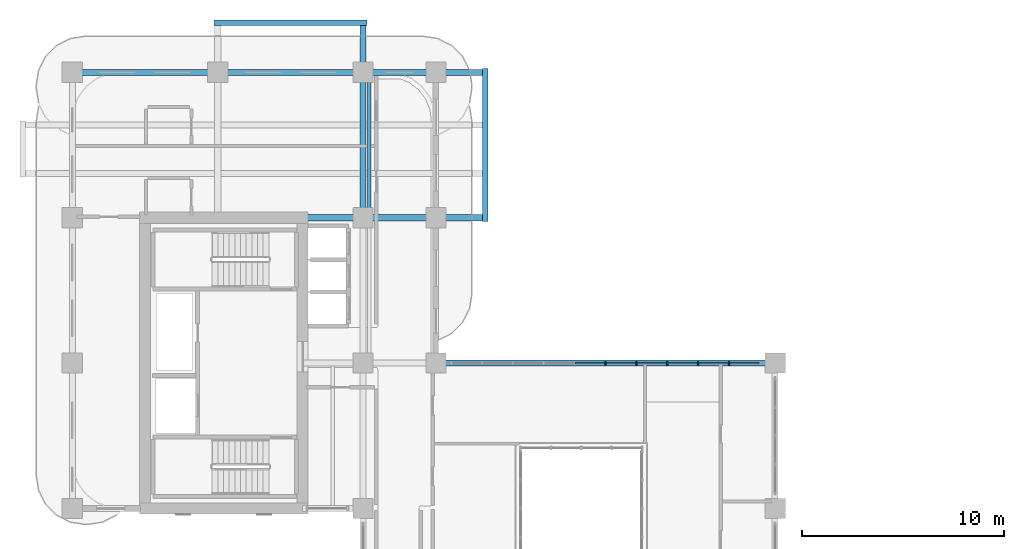
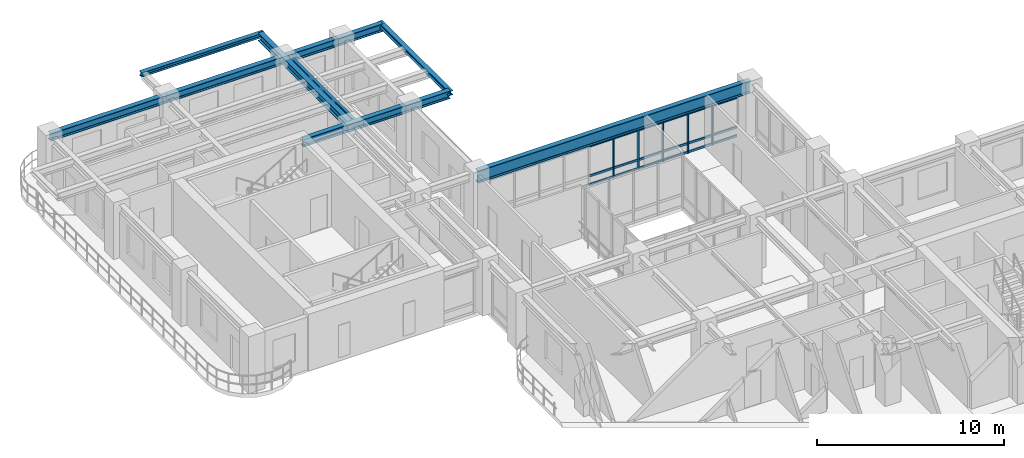
# One storey, part 6 of 20: 23 members, 8 beams, 1 element without a shape of its own.
"""IFC4 building model written with IfcOpenShell, lengths in metres."""

from ifc_helpers import new_model, si_unit, derived_unit, direction, frame, origin, origin_2d, place, context, subcontext, project, spatial, rectangle, i_section, extrude, source, transform, mapped, material, layer, layer_set, material_profile, profile_set, type_object, type_shapes, element, aggregate, save


model = new_model("IFC4")

# Units and contexts
model_context = context("Model", 3, precision=1e-05, world=origin(), true_north=direction((0.0, 1.0)))
body_context = subcontext(model_context, "Body", "Model", "MODEL_VIEW")
ifc_project = project(units=[si_unit("LENGTHUNIT", "METRE"), si_unit("AREAUNIT", "SQUARE_METRE"), si_unit("VOLUMEUNIT", "CUBIC_METRE"), si_unit("PLANEANGLEUNIT", "RADIAN"), si_unit("MASSUNIT", "GRAM", prefix="KILO"), si_unit("THERMODYNAMICTEMPERATUREUNIT", "KELVIN"), si_unit("POWERUNIT", "WATT"), derived_unit("THERMALTRANSMITTANCEUNIT", [(si_unit("POWERUNIT", "WATT"), 1), (si_unit("AREAUNIT", "SQUARE_METRE"), -1), (si_unit("THERMODYNAMICTEMPERATUREUNIT", "KELVIN"), -1)])], contexts=[model_context])

# Site, building, storey
site_placement = place(None, origin())
site = spatial("IfcSite", under=ifc_project, at=site_placement, CompositionType="ELEMENT")
building_placement = place(site_placement, origin())
building = spatial("IfcBuilding", under=site, at=building_placement, Name="Zahravan Archway Hotel and Residences", CompositionType="ELEMENT")
storey_placement = place(building_placement, frame((0.0, 0.0, 126.60009765625)))
storey = spatial("IfcBuildingStorey", under=building, at=storey_placement, Name="L31", CompositionType="ELEMENT", Elevation=126.60009765625)

# Beams
ifc_material_1 = material(Name="Structural Steel S355JR", Category="steel")
ifc_material_profile_1 = material_profile(ifc_material_1, i_section(OverallWidth=0.280029296875, OverallDepth=0.280029296875, WebThickness=0.010498046875, FlangeThickness=0.01806640625, FilletRadius=0.02392578125, at=origin_2d()), Name="HEB 280", Category="steel")
ifc_profile_set_1 = profile_set([ifc_material_profile_1], Name="Structural Steel S355JR")
beam_type_1 = type_object("IfcBeamType", Name="BM-SPN-HEB280", PredefinedType="SPANDREL", material=ifc_profile_set_1)
shared_shape_1 = source(origin(), body_context, "Body", "SweptSolid", [
    extrude(i_section(OverallWidth=0.280029296875, OverallDepth=0.280029296875, WebThickness=0.010498046875, FlangeThickness=0.01806640625, FilletRadius=0.02392578125, at=origin_2d()), origin(), (0.0, 0.0, 1.0), 7.56005859375),
])
type_shapes(beam_type_1, [shared_shape_1])
for number, where, z_axis, x_axis, name in (
    (1, (20.449951171875, 39.419921875, 3.309814453125), (0.0, 1.0, 0.0), (-1.0, 0.0, 0.0), "L32 EB Balcony Edge Spandrel"),
    (2, (7.02001953125, 49.25, 3.309814453125), (1.0, 0.0, 0.0), (0.0, 1.0, 0.0), "L32 NB Balcony Edge Spandrel"),
):
    element("IfcBeam", number, at=place(storey_placement, frame(where, z_axis=z_axis, x_axis=x_axis)), inside=storey, type_object=beam_type_1, Name=name, PredefinedType="SPANDREL", context=body_context, shape_type="MappedRepresentation", body=[
        mapped(shared_shape_1, transform((0.0, 0.0, 0.0), scale=1.0)),
    ])
ifc_material_2 = material(Name="Structural Steel S355J2", Category="steel")
ifc_material_profile_2 = material_profile(ifc_material_2, i_section(OverallWidth=0.300048828125, OverallDepth=0.800048828125, WebThickness=0.017578125, FlangeThickness=0.032958984375, FilletRadius=0.030029296875, at=origin_2d()), Name="HEB 800", Category="steel")
ifc_profile_set_2 = profile_set([ifc_material_profile_2], Name="Structural Steel S355J2")
beam_type_2 = type_object("IfcBeamType", Name="BM-PRI-HEB800", PredefinedType="BEAM", material=ifc_profile_set_2)
shared_shape_2 = source(origin(), body_context, "Body", "SweptSolid", [
    extrude(i_section(OverallWidth=0.300048828125, OverallDepth=0.800048828125, WebThickness=0.017578125, FlangeThickness=0.032958984375, FilletRadius=0.030029296875, at=origin_2d()), origin(), (0.0, 0.0, 1.0), 16.800048828125),
])
type_shapes(beam_type_2, [shared_shape_2])
beam_1_placement = place(storey_placement, frame((18.0, 32.39990234375, 3.0498046875), z_axis=(1.0, 0.0, 0.0), x_axis=(0.0, 1.0, 0.0)))
element("IfcBeam", 3, at=beam_1_placement, inside=storey, type_object=beam_type_2, Name="L31 Primary Girder EW-18", PredefinedType="BEAM", context=body_context, shape_type="MappedRepresentation", body=[
    mapped(shared_shape_2, transform((0.0, 0.0, 0.0), scale=1.0)),
])
ifc_material_profile_3 = material_profile(ifc_material_1, i_section(OverallWidth=0.300048828125, OverallDepth=0.5, WebThickness=0.014404296875, FlangeThickness=0.028076171875, FilletRadius=0.027099609375, at=origin_2d()), Name="HEB 500", Category="steel")
ifc_profile_set_3 = profile_set([ifc_material_profile_3], Name="Structural Steel S355JR")
beam_type_3 = type_object("IfcBeamType", Name="BM-PRI-HEB500", PredefinedType="BEAM", material=ifc_profile_set_3)
shared_shape_3 = source(origin(), body_context, "Body", "SweptSolid", [
    extrude(i_section(OverallWidth=0.300048828125, OverallDepth=0.5, WebThickness=0.014404296875, FlangeThickness=0.028076171875, FilletRadius=0.027099609375, at=origin_2d()), origin(), (0.0, 0.0, 1.0), 7.199951171875),
])
beam_2_placement = place(storey_placement, frame((0.0, 46.800048828125, 3.199951171875), z_axis=(1.0, 0.0, 0.0), x_axis=(0.0, 1.0, 0.0)))
element("IfcBeam", 4, at=beam_2_placement, inside=storey, type_object=beam_type_3, Name="L31 Primary Girder EW-20", PredefinedType="BEAM", context=body_context, shape_type="MappedRepresentation", body=[
    mapped(shared_shape_3, transform((0.0, 0.0, 0.0), scale=1.0)),
])
shared_shape_4 = source(origin(), body_context, "Body", "SweptSolid", [
    extrude(i_section(OverallWidth=0.300048828125, OverallDepth=0.5, WebThickness=0.014404296875, FlangeThickness=0.028076171875, FilletRadius=0.027099609375, at=origin_2d()), origin(), (0.0, 0.0, 1.0), 9.050048828125),
])
beam_3_placement = place(storey_placement, frame((11.39990234375, 39.60009765625, 3.199951171875), z_axis=(1.0, 0.0, 0.0), x_axis=(0.0, 1.0, 0.0)))
element("IfcBeam", 5, at=beam_3_placement, inside=storey, type_object=beam_type_3, Name="L31 Primary Girder EW-19", PredefinedType="BEAM", context=body_context, shape_type="MappedRepresentation", body=[
    mapped(shared_shape_4, transform((0.0, 0.0, 0.0), scale=1.0)),
])
shared_shape_5 = source(origin(), body_context, "Body", "SweptSolid", [
    extrude(i_section(OverallWidth=0.300048828125, OverallDepth=0.5, WebThickness=0.014404296875, FlangeThickness=0.028076171875, FilletRadius=0.027099609375, at=origin_2d()), origin(), (0.0, 0.0, 1.0), 13.25),
])
beam_4_placement = place(storey_placement, frame((7.199951171875, 46.800048828125, 3.199951171875), z_axis=(1.0, 0.0, 0.0), x_axis=(0.0, 1.0, 0.0)))
element("IfcBeam", 6, at=beam_4_placement, inside=storey, type_object=beam_type_3, Name="L31 Primary Girder EW-21", PredefinedType="BEAM", context=body_context, shape_type="MappedRepresentation", body=[
    mapped(shared_shape_5, transform((0.0, 0.0, 0.0), scale=1.0)),
])
shared_shape_6 = source(origin(), body_context, "Body", "SweptSolid", [
    extrude(i_section(OverallWidth=0.300048828125, OverallDepth=0.5, WebThickness=0.014404296875, FlangeThickness=0.028076171875, FilletRadius=0.027099609375, at=origin_2d()), origin(), (0.0, 0.0, 1.0), 9.64990234375),
])
beam_5_placement = place(storey_placement, frame((14.39990234375, 39.60009765625, 3.199951171875), z_axis=(0.0, 1.0, 0.0), x_axis=(-1.0, 0.0, 0.0)))
element("IfcBeam", 7, at=beam_5_placement, inside=storey, type_object=beam_type_3, Name="L31 Primary Girder NS-34", PredefinedType="BEAM", context=body_context, shape_type="MappedRepresentation", body=[
    mapped(shared_shape_6, transform((0.0, 0.0, 0.0), scale=1.0)),
])
ifc_material_profile_4 = material_profile(ifc_material_1, i_section(OverallWidth=0.159912109375, OverallDepth=0.330078125, WebThickness=0.007568359375, FlangeThickness=0.011474609375, FilletRadius=0.01806640625, at=origin_2d()), Name="IPE 330", Category="steel")
ifc_profile_set_4 = profile_set([ifc_material_profile_4], Name="Structural Steel S355JR")
beam_type_4 = type_object("IfcBeamType", Name="BM-JST-IPE330", PredefinedType="JOIST", material=ifc_profile_set_4)
shared_shape_7 = source(origin(), body_context, "Body", "SweptSolid", [
    extrude(i_section(OverallWidth=0.159912109375, OverallDepth=0.330078125, WebThickness=0.007568359375, FlangeThickness=0.011474609375, FilletRadius=0.01806640625, at=origin_2d()), origin(), (0.0, 0.0, 1.0), 6.904052734375),
])
type_shapes(beam_type_4, [shared_shape_7])
beam_6_placement = place(storey_placement, frame((14.699951171875, 39.748046875, 3.284912109375), z_axis=(0.0, 1.0, 0.0), x_axis=(-1.0, 0.0, 0.0)))
element("IfcBeam", 8, at=beam_6_placement, inside=storey, type_object=beam_type_4, Name="L31 Composite Floor Joist 12", PredefinedType="JOIST", context=body_context, shape_type="MappedRepresentation", body=[
    mapped(shared_shape_7, transform((0.0, 0.0, 0.0), scale=1.0)),
])

# Curtain wall, members
ifc_material_3 = material(Name="Bronze-Anodized Unitised Aluminium & Low-E Glass", Category="aluminium")
ifc_layer = layer(ifc_material_3, 0.179931640625, Name="Bronze-Anodized Unitised Aluminium & Low-E Glass", Category="aluminium")
ifc_layer_set = layer_set([ifc_layer], Name="Bronze-Anodized Unitised Aluminium & Low-E Glass")
curtain_wall_type = type_object("IfcCurtainWallType", Name="CW-ATR-GLAZ", PredefinedType="NOTDEFINED", material=ifc_layer_set)
curtain_wall_placement = place(storey_placement, origin())
curtain_wall = element("IfcCurtainWall", 9, at=curtain_wall_placement, inside=storey, type_object=curtain_wall_type, Name="L31 Curtain Wall CW-L31-HNG-N-1", PredefinedType="NOTDEFINED")
ifc_material_4 = material(Name="Bronze-Anodized Extruded Aluminium", Category="aluminium")
ifc_material_profile_5 = material_profile(ifc_material_4, rectangle(XDim=0.080078125, YDim=0.159912109375, at=origin_2d()), Name="MUL 80x160", Category="aluminium")
ifc_profile_set_5 = profile_set([ifc_material_profile_5], Name="Bronze-Anodized Extruded Aluminium")
member_type_1 = type_object("IfcMemberType", Name="CWM-MUL-160", PredefinedType="MULLION", material=ifc_profile_set_5)
shared_shape_8 = source(origin(), body_context, "Body", "SweptSolid", [
    extrude(rectangle(XDim=0.080078125, YDim=0.159912109375, at=origin_2d()), origin(), (0.0, 0.0, 1.0), 2.635009765625),
])
member_1_placement = place(storey_placement, frame((26.39990234375, 32.39990234375, 0.0), z_axis=(0.0, 0.0, 1.0), x_axis=(1.0, 0.0, 0.0)))
member_1 = element("IfcMember", 10, at=member_1_placement, type_object=member_type_1, Name="CW-L31-HNG-N-1 Mullion 5", PredefinedType="MULLION", context=body_context, shape_type="MappedRepresentation", body=[
    mapped(shared_shape_8, transform((0.0, 0.0, 0.0), scale=1.0)),
])
member_2_placement = place(storey_placement, frame((27.927978515625, 32.39990234375, 0.0), z_axis=(0.0, 0.0, 1.0), x_axis=(1.0, 0.0, 0.0)))
member_2 = element("IfcMember", 11, at=member_2_placement, type_object=member_type_1, Name="CW-L31-HNG-N-1 Mullion 6", PredefinedType="MULLION", context=body_context, shape_type="MappedRepresentation", body=[
    mapped(shared_shape_8, transform((0.0, 0.0, 0.0), scale=1.0)),
])
member_3_placement = place(storey_placement, frame((29.4560546875, 32.39990234375, 0.0), z_axis=(0.0, 0.0, 1.0), x_axis=(1.0, 0.0, 0.0)))
member_3 = element("IfcMember", 12, at=member_3_placement, type_object=member_type_1, Name="CW-L31-HNG-N-1 Mullion 7", PredefinedType="MULLION", context=body_context, shape_type="MappedRepresentation", body=[
    mapped(shared_shape_8, transform((0.0, 0.0, 0.0), scale=1.0)),
])
member_4_placement = place(storey_placement, frame((30.98388671875, 32.39990234375, 0.0), z_axis=(0.0, 0.0, 1.0), x_axis=(1.0, 0.0, 0.0)))
member_4 = element("IfcMember", 13, at=member_4_placement, type_object=member_type_1, Name="CW-L31-HNG-N-1 Mullion 8", PredefinedType="MULLION", context=body_context, shape_type="MappedRepresentation", body=[
    mapped(shared_shape_8, transform((0.0, 0.0, 0.0), scale=1.0)),
])
member_5_placement = place(storey_placement, frame((32.511962890625, 32.39990234375, 0.0), z_axis=(0.0, 0.0, 1.0), x_axis=(1.0, 0.0, 0.0)))
member_5 = element("IfcMember", 14, at=member_5_placement, type_object=member_type_1, Name="CW-L31-HNG-N-1 Mullion 9", PredefinedType="MULLION", context=body_context, shape_type="MappedRepresentation", body=[
    mapped(shared_shape_8, transform((0.0, 0.0, 0.0), scale=1.0)),
])
ifc_material_profile_6 = material_profile(ifc_material_4, rectangle(XDim=0.080078125, YDim=0.139892578125, at=origin_2d()), Name="TRN 80x140", Category="aluminium")
ifc_profile_set_6 = profile_set([ifc_material_profile_6], Name="Bronze-Anodized Extruded Aluminium")
member_type_2 = type_object("IfcMemberType", Name="CWM-TRN-140", PredefinedType="USERDEFINED", material=ifc_profile_set_6)
shared_shape_9 = source(origin(), body_context, "Body", "SweptSolid", [
    extrude(rectangle(XDim=0.080078125, YDim=0.139892578125, at=origin_2d()), origin(), (0.0, 0.0, 1.0), 1.447998046875),
])
member_6_placement = place(storey_placement, frame((24.912109375, 32.39990234375, 0.06982421875), z_axis=(1.0, 0.0, 0.0), x_axis=(0.0, 1.0, 0.0)))
member_6 = element("IfcMember", 15, at=member_6_placement, type_object=member_type_2, Name="CW-L31-HNG-N-1 Transom 4-1", ObjectType="TRANSOM", PredefinedType="USERDEFINED", context=body_context, shape_type="MappedRepresentation", body=[
    mapped(shared_shape_9, transform((0.0, 0.0, 0.0), scale=1.0)),
])
member_7_placement = place(storey_placement, frame((24.912109375, 32.39990234375, 0.63232421875), z_axis=(1.0, 0.0, 0.0), x_axis=(0.0, 1.0, 0.0)))
member_7 = element("IfcMember", 16, at=member_7_placement, type_object=member_type_2, Name="CW-L31-HNG-N-1 Transom 4-2", ObjectType="TRANSOM", PredefinedType="USERDEFINED", context=body_context, shape_type="MappedRepresentation", body=[
    mapped(shared_shape_9, transform((0.0, 0.0, 0.0), scale=1.0)),
])
member_8_placement = place(storey_placement, frame((24.912109375, 32.39990234375, 2.56494140625), z_axis=(1.0, 0.0, 0.0), x_axis=(0.0, 1.0, 0.0)))
member_8 = element("IfcMember", 17, at=member_8_placement, type_object=member_type_2, Name="CW-L31-HNG-N-1 Transom 4-3", ObjectType="TRANSOM", PredefinedType="USERDEFINED", context=body_context, shape_type="MappedRepresentation", body=[
    mapped(shared_shape_9, transform((0.0, 0.0, 0.0), scale=1.0)),
])
member_9_placement = place(storey_placement, frame((26.43994140625, 32.39990234375, 0.06982421875), z_axis=(1.0, 0.0, 0.0), x_axis=(0.0, 1.0, 0.0)))
member_9 = element("IfcMember", 18, at=member_9_placement, type_object=member_type_2, Name="CW-L31-HNG-N-1 Transom 5-1", ObjectType="TRANSOM", PredefinedType="USERDEFINED", context=body_context, shape_type="MappedRepresentation", body=[
    mapped(shared_shape_9, transform((0.0, 0.0, 0.0), scale=1.0)),
])
member_10_placement = place(storey_placement, frame((26.43994140625, 32.39990234375, 0.63232421875), z_axis=(1.0, 0.0, 0.0), x_axis=(0.0, 1.0, 0.0)))
member_10 = element("IfcMember", 19, at=member_10_placement, type_object=member_type_2, Name="CW-L31-HNG-N-1 Transom 5-2", ObjectType="TRANSOM", PredefinedType="USERDEFINED", context=body_context, shape_type="MappedRepresentation", body=[
    mapped(shared_shape_9, transform((0.0, 0.0, 0.0), scale=1.0)),
])
member_11_placement = place(storey_placement, frame((26.43994140625, 32.39990234375, 2.56494140625), z_axis=(1.0, 0.0, 0.0), x_axis=(0.0, 1.0, 0.0)))
member_11 = element("IfcMember", 20, at=member_11_placement, type_object=member_type_2, Name="CW-L31-HNG-N-1 Transom 5-3", ObjectType="TRANSOM", PredefinedType="USERDEFINED", context=body_context, shape_type="MappedRepresentation", body=[
    mapped(shared_shape_9, transform((0.0, 0.0, 0.0), scale=1.0)),
])
member_12_placement = place(storey_placement, frame((27.968017578125, 32.39990234375, 0.06982421875), z_axis=(1.0, 0.0, 0.0), x_axis=(0.0, 1.0, 0.0)))
member_12 = element("IfcMember", 21, at=member_12_placement, type_object=member_type_2, Name="CW-L31-HNG-N-1 Transom 6-1", ObjectType="TRANSOM", PredefinedType="USERDEFINED", context=body_context, shape_type="MappedRepresentation", body=[
    mapped(shared_shape_9, transform((0.0, 0.0, 0.0), scale=1.0)),
])
member_13_placement = place(storey_placement, frame((27.968017578125, 32.39990234375, 0.63232421875), z_axis=(1.0, 0.0, 0.0), x_axis=(0.0, 1.0, 0.0)))
member_13 = element("IfcMember", 22, at=member_13_placement, type_object=member_type_2, Name="CW-L31-HNG-N-1 Transom 6-2", ObjectType="TRANSOM", PredefinedType="USERDEFINED", context=body_context, shape_type="MappedRepresentation", body=[
    mapped(shared_shape_9, transform((0.0, 0.0, 0.0), scale=1.0)),
])
member_14_placement = place(storey_placement, frame((27.968017578125, 32.39990234375, 2.56494140625), z_axis=(1.0, 0.0, 0.0), x_axis=(0.0, 1.0, 0.0)))
member_14 = element("IfcMember", 23, at=member_14_placement, type_object=member_type_2, Name="CW-L31-HNG-N-1 Transom 6-3", ObjectType="TRANSOM", PredefinedType="USERDEFINED", context=body_context, shape_type="MappedRepresentation", body=[
    mapped(shared_shape_9, transform((0.0, 0.0, 0.0), scale=1.0)),
])
member_15_placement = place(storey_placement, frame((29.49609375, 32.39990234375, 0.06982421875), z_axis=(1.0, 0.0, 0.0), x_axis=(0.0, 1.0, 0.0)))
member_15 = element("IfcMember", 24, at=member_15_placement, type_object=member_type_2, Name="CW-L31-HNG-N-1 Transom 7-1", ObjectType="TRANSOM", PredefinedType="USERDEFINED", context=body_context, shape_type="MappedRepresentation", body=[
    mapped(shared_shape_9, transform((0.0, 0.0, 0.0), scale=1.0)),
])
member_16_placement = place(storey_placement, frame((29.49609375, 32.39990234375, 0.63232421875), z_axis=(1.0, 0.0, 0.0), x_axis=(0.0, 1.0, 0.0)))
member_16 = element("IfcMember", 25, at=member_16_placement, type_object=member_type_2, Name="CW-L31-HNG-N-1 Transom 7-2", ObjectType="TRANSOM", PredefinedType="USERDEFINED", context=body_context, shape_type="MappedRepresentation", body=[
    mapped(shared_shape_9, transform((0.0, 0.0, 0.0), scale=1.0)),
])
member_17_placement = place(storey_placement, frame((29.49609375, 32.39990234375, 2.56494140625), z_axis=(1.0, 0.0, 0.0), x_axis=(0.0, 1.0, 0.0)))
member_17 = element("IfcMember", 26, at=member_17_placement, type_object=member_type_2, Name="CW-L31-HNG-N-1 Transom 7-3", ObjectType="TRANSOM", PredefinedType="USERDEFINED", context=body_context, shape_type="MappedRepresentation", body=[
    mapped(shared_shape_9, transform((0.0, 0.0, 0.0), scale=1.0)),
])
member_18_placement = place(storey_placement, frame((31.02392578125, 32.39990234375, 0.06982421875), z_axis=(1.0, 0.0, 0.0), x_axis=(0.0, 1.0, 0.0)))
member_18 = element("IfcMember", 27, at=member_18_placement, type_object=member_type_2, Name="CW-L31-HNG-N-1 Transom 8-1", ObjectType="TRANSOM", PredefinedType="USERDEFINED", context=body_context, shape_type="MappedRepresentation", body=[
    mapped(shared_shape_9, transform((0.0, 0.0, 0.0), scale=1.0)),
])
member_19_placement = place(storey_placement, frame((31.02392578125, 32.39990234375, 0.63232421875), z_axis=(1.0, 0.0, 0.0), x_axis=(0.0, 1.0, 0.0)))
member_19 = element("IfcMember", 28, at=member_19_placement, type_object=member_type_2, Name="CW-L31-HNG-N-1 Transom 8-2", ObjectType="TRANSOM", PredefinedType="USERDEFINED", context=body_context, shape_type="MappedRepresentation", body=[
    mapped(shared_shape_9, transform((0.0, 0.0, 0.0), scale=1.0)),
])
member_20_placement = place(storey_placement, frame((31.02392578125, 32.39990234375, 2.56494140625), z_axis=(1.0, 0.0, 0.0), x_axis=(0.0, 1.0, 0.0)))
member_20 = element("IfcMember", 29, at=member_20_placement, type_object=member_type_2, Name="CW-L31-HNG-N-1 Transom 8-3", ObjectType="TRANSOM", PredefinedType="USERDEFINED", context=body_context, shape_type="MappedRepresentation", body=[
    mapped(shared_shape_9, transform((0.0, 0.0, 0.0), scale=1.0)),
])
member_21_placement = place(storey_placement, frame((32.552001953125, 32.39990234375, 0.06982421875), z_axis=(1.0, 0.0, 0.0), x_axis=(0.0, 1.0, 0.0)))
member_21 = element("IfcMember", 30, at=member_21_placement, type_object=member_type_2, Name="CW-L31-HNG-N-1 Transom 9-1", ObjectType="TRANSOM", PredefinedType="USERDEFINED", context=body_context, shape_type="MappedRepresentation", body=[
    mapped(shared_shape_9, transform((0.0, 0.0, 0.0), scale=1.0)),
])
member_22_placement = place(storey_placement, frame((32.552001953125, 32.39990234375, 0.63232421875), z_axis=(1.0, 0.0, 0.0), x_axis=(0.0, 1.0, 0.0)))
member_22 = element("IfcMember", 31, at=member_22_placement, type_object=member_type_2, Name="CW-L31-HNG-N-1 Transom 9-2", ObjectType="TRANSOM", PredefinedType="USERDEFINED", context=body_context, shape_type="MappedRepresentation", body=[
    mapped(shared_shape_9, transform((0.0, 0.0, 0.0), scale=1.0)),
])
member_23_placement = place(storey_placement, frame((32.552001953125, 32.39990234375, 2.56494140625), z_axis=(1.0, 0.0, 0.0), x_axis=(0.0, 1.0, 0.0)))
member_23 = element("IfcMember", 32, at=member_23_placement, type_object=member_type_2, Name="CW-L31-HNG-N-1 Transom 9-3", ObjectType="TRANSOM", PredefinedType="USERDEFINED", context=body_context, shape_type="MappedRepresentation", body=[
    mapped(shared_shape_9, transform((0.0, 0.0, 0.0), scale=1.0)),
])
aggregate(curtain_wall, [member_1, member_2, member_3, member_4, member_5, member_6, member_7, member_8, member_9, member_10, member_11, member_12, member_13, member_14, member_15, member_16, member_17, member_18, member_19, member_20, member_21, member_22, member_23])

save(model, "model.ifc")
